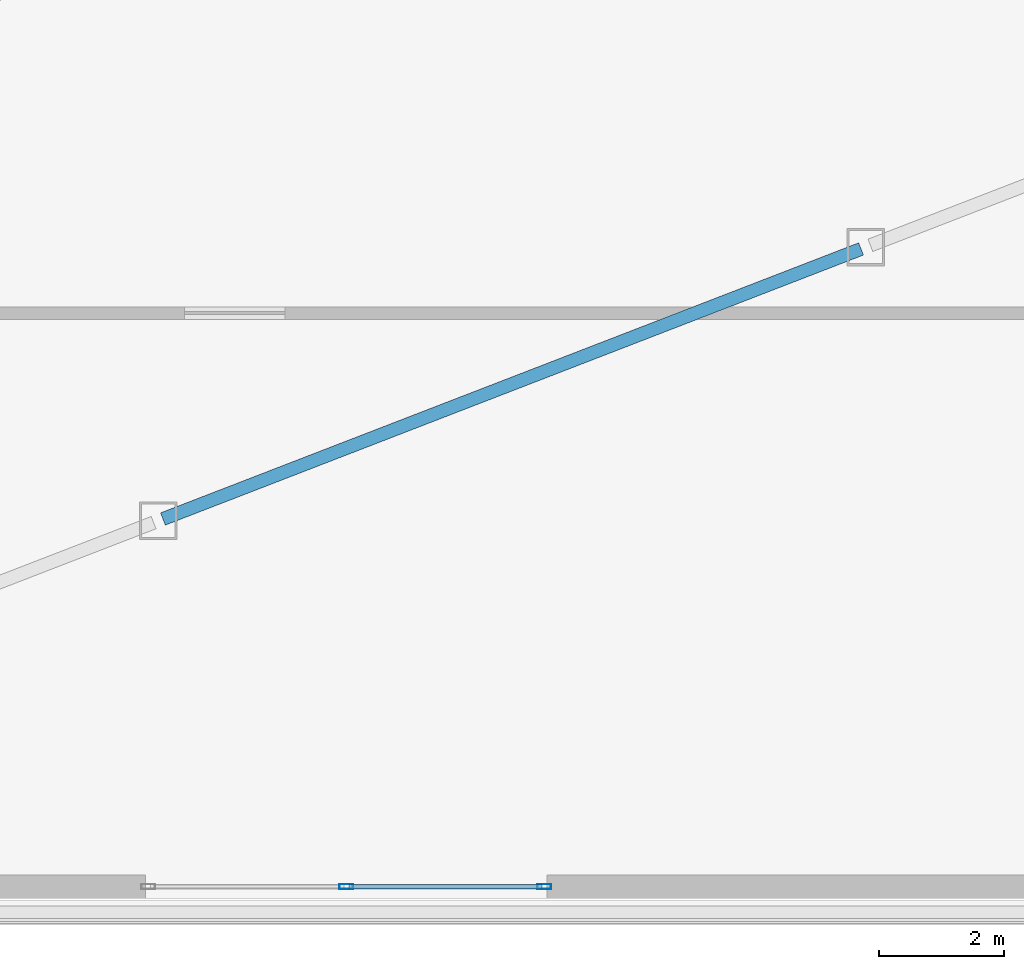
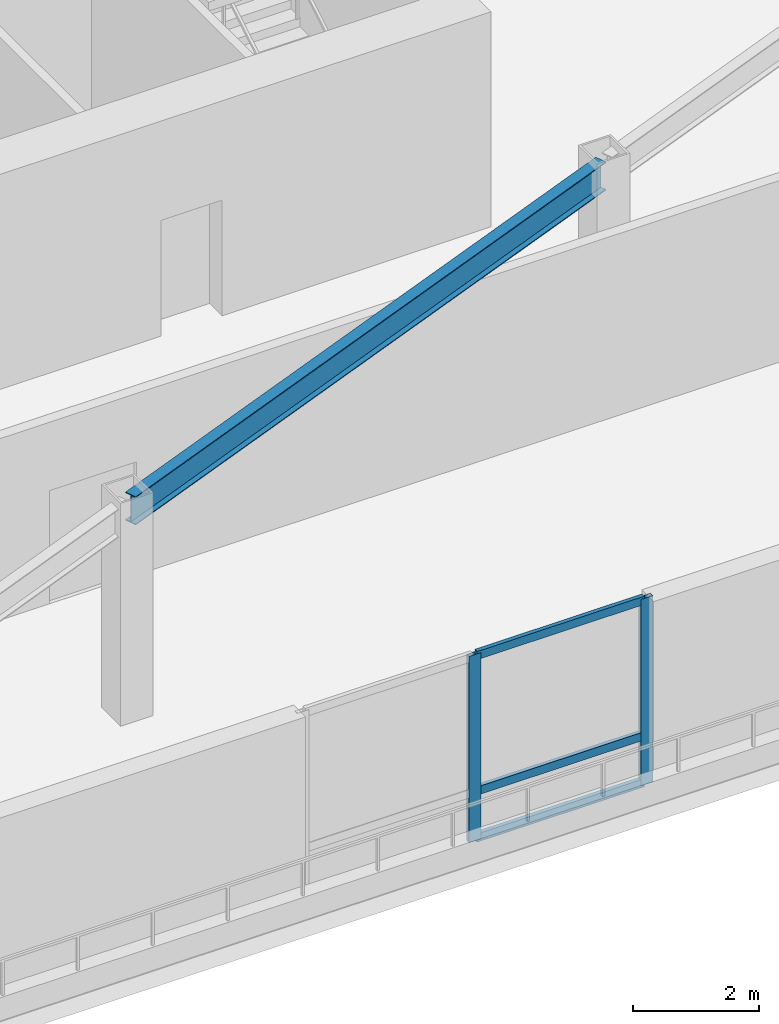
# One storey, part 4 of 16: 5 members, 1 beam, 1 element without a shape of its own.
"""IFC4 building model written with IfcOpenShell, lengths in metres."""

from ifc_helpers import new_model, si_unit, direction, frame, origin, origin_2d, place, context, subcontext, project, spatial, hollow_rectangle, i_section, extrude, source, transform, mapped, material, material_profile, profile_set, type_object, element, aggregate, save


model = new_model("IFC4")

# Units and contexts
model_context = context("Model", 3, precision=1e-05, world=origin(), true_north=direction((0.0, 1.0)))
body_context = subcontext(model_context, "Body", "Model", "MODEL_VIEW")
ifc_project = project(units=[si_unit("LENGTHUNIT", "METRE"), si_unit("AREAUNIT", "SQUARE_METRE"), si_unit("VOLUMEUNIT", "CUBIC_METRE"), si_unit("PLANEANGLEUNIT", "RADIAN"), si_unit("MASSUNIT", "GRAM", prefix="KILO")], contexts=[model_context])

# Site, building, storey
site_placement = place(None, origin())
site = spatial("IfcSite", under=ifc_project, at=site_placement, CompositionType="ELEMENT")
building_placement = place(site_placement, origin())
building = spatial("IfcBuilding", under=site, at=building_placement, Name="Olszyna Solenne Hotel", CompositionType="ELEMENT")
storey_placement = place(building_placement, frame((0.0, 0.0, 15.60009765625)))
storey = spatial("IfcBuildingStorey", under=building, at=storey_placement, Name="L03", CompositionType="ELEMENT", Elevation=15.60009765625)

# Beam
ifc_material_1 = material(Name="Steel S355J2", Category="steel")
ifc_material_profile_1 = material_profile(ifc_material_1, i_section(OverallWidth=0.2099609375, OverallDepth=0.550048828125, WebThickness=0.010986328125, FlangeThickness=0.01708984375, at=origin_2d()), Name="IPE 550", Category="load-bearing")
ifc_profile_set_1 = profile_set([ifc_material_profile_1], Name="Steel S355J2")
beam_type = type_object("IfcBeamType", Name="BM-F2", PredefinedType="BEAM", material=ifc_profile_set_1)
shared_shape_1 = source(origin(), body_context, "Body", "SweptSolid", [
    extrude(i_section(OverallWidth=0.2099609375, OverallDepth=0.550048828125, WebThickness=0.010986328125, FlangeThickness=0.01708984375, at=origin_2d()), origin(), (0.0, 0.0, 1.0), 11.94091796875),
])
beam_placement = place(storey_placement, frame((35.074951171875, 9.915283203125, 3.90478515625), z_axis=(0.932649339214, 0.360784159939, 0.0), x_axis=(-0.360784159939, 0.932649339214, 0.0)))
element("IfcBeam", 1, at=beam_placement, inside=storey, type_object=beam_type, Name="Podium ring girder BM-F2 BRG-L03-62", PredefinedType="BEAM", context=body_context, shape_type="MappedRepresentation", body=[
    mapped(shared_shape_1, transform((0.0, 0.0, 0.0), x_axis=(1.0, 0.0, 0.0), y_axis=(0.0, 1.0, 0.0), z_axis=(0.0, 0.0, 1.0), scale=1.0)),
])

# Curtain wall, members
ifc_material_2 = material(Name="Anodised bronze aluminium", Category="aluminium")
curtain_wall_type = type_object("IfcCurtainWallType", Name="CW-SYS-1", PredefinedType="NOTDEFINED", material=ifc_material_2)
curtain_wall_placement = place(storey_placement, origin())
curtain_wall = element("IfcCurtainWall", 2, at=curtain_wall_placement, inside=storey, type_object=curtain_wall_type, Name="Unitised curtain wall CW-SYS-1 CW-L03-01", PredefinedType="NOTDEFINED")
ifc_material_profile_2 = material_profile(ifc_material_2, hollow_rectangle(XDim=0.074951171875, YDim=0.159912109375, WallThickness=0.00390625, at=origin_2d()), Name="TRAN 160x75x4", Category="load-bearing")
ifc_profile_set_2 = profile_set([ifc_material_profile_2], Name="Anodised bronze aluminium")
member_type_1 = type_object("IfcMemberType", Name="CW-T1", PredefinedType="USERDEFINED", material=ifc_profile_set_2)
shared_shape_2 = source(origin(), body_context, "Body", "SweptSolid", [
    extrude(hollow_rectangle(XDim=0.074951171875, YDim=0.159912109375, WallThickness=0.00390625, at=origin_2d()), origin(), (0.0, 0.0, 1.0), 3.080078125),
])
member_1_placement = place(storey_placement, frame((38.0400390625, 4.050048828125, 0.037353515625), z_axis=(1.0, 0.0, 0.0), x_axis=(0.0, 1.0, 0.0)))
member_1 = element("IfcMember", 3, at=member_1_placement, type_object=member_type_1, Name="Curtain-wall transom CW-T1 CT-L03-01-04", ObjectType="TRANSOM", PredefinedType="USERDEFINED", context=body_context, shape_type="MappedRepresentation", body=[
    mapped(shared_shape_2, transform((0.0, 0.0, 0.0), x_axis=(1.0, 0.0, 0.0), y_axis=(0.0, 1.0, 0.0), z_axis=(0.0, 0.0, 1.0), scale=1.0)),
])
member_2_placement = place(storey_placement, frame((38.0400390625, 4.050048828125, 0.949951171875), z_axis=(1.0, 0.0, 0.0), x_axis=(0.0, 1.0, 0.0)))
member_2 = element("IfcMember", 4, at=member_2_placement, type_object=member_type_1, Name="Curtain-wall transom CW-T1 CT-L03-01-05", ObjectType="TRANSOM", PredefinedType="USERDEFINED", context=body_context, shape_type="MappedRepresentation", body=[
    mapped(shared_shape_2, transform((0.0, 0.0, 0.0), x_axis=(1.0, 0.0, 0.0), y_axis=(0.0, 1.0, 0.0), z_axis=(0.0, 0.0, 1.0), scale=1.0)),
])
member_3_placement = place(storey_placement, frame((38.0400390625, 4.050048828125, 3.58447265625), z_axis=(1.0, 0.0, 0.0), x_axis=(0.0, 1.0, 0.0)))
member_3 = element("IfcMember", 5, at=member_3_placement, type_object=member_type_1, Name="Curtain-wall transom CW-T1 CT-L03-01-06", ObjectType="TRANSOM", PredefinedType="USERDEFINED", context=body_context, shape_type="MappedRepresentation", body=[
    mapped(shared_shape_2, transform((0.0, 0.0, 0.0), x_axis=(1.0, 0.0, 0.0), y_axis=(0.0, 1.0, 0.0), z_axis=(0.0, 0.0, 1.0), scale=1.0)),
])
ifc_material_profile_3 = material_profile(ifc_material_2, hollow_rectangle(XDim=0.080078125, YDim=0.219970703125, WallThickness=0.0048828125, at=origin_2d()), Name="MULL 220x80x5", Category="load-bearing")
ifc_profile_set_3 = profile_set([ifc_material_profile_3], Name="Anodised bronze aluminium")
member_type_2 = type_object("IfcMemberType", Name="CW-M1", PredefinedType="MULLION", material=ifc_profile_set_3)
shared_shape_3 = source(origin(), body_context, "Body", "SweptSolid", [
    extrude(hollow_rectangle(XDim=0.080078125, YDim=0.219970703125, WallThickness=0.0048828125, at=origin_2d()), origin(), (0.0, 0.0, 1.0), 3.621826171875),
])
member_4_placement = place(storey_placement, frame((38.0, 4.050048828125, 0.0), z_axis=(0.0, 0.0, 1.0), x_axis=(0.0, 1.0, 0.0)))
member_4 = element("IfcMember", 6, at=member_4_placement, type_object=member_type_2, Name="Curtain-wall mullion CW-M1 CM-L03-01-02", PredefinedType="MULLION", context=body_context, shape_type="MappedRepresentation", body=[
    mapped(shared_shape_3, transform((0.0, 0.0, 0.0), x_axis=(1.0, 0.0, 0.0), y_axis=(0.0, 1.0, 0.0), z_axis=(0.0, 0.0, 1.0), scale=1.0)),
])
member_5_placement = place(storey_placement, frame((41.159912109375, 4.050048828125, 0.0), z_axis=(0.0, 0.0, 1.0), x_axis=(0.0, 1.0, 0.0)))
member_5 = element("IfcMember", 7, at=member_5_placement, type_object=member_type_2, Name="Curtain-wall mullion CW-M1 CM-L03-01-03", PredefinedType="MULLION", context=body_context, shape_type="MappedRepresentation", body=[
    mapped(shared_shape_3, transform((0.0, 0.0, 0.0), x_axis=(1.0, 0.0, 0.0), y_axis=(0.0, 1.0, 0.0), z_axis=(0.0, 0.0, 1.0), scale=1.0)),
])
aggregate(curtain_wall, [member_4, member_5, member_1, member_2, member_3])

save(model, "model.ifc")
